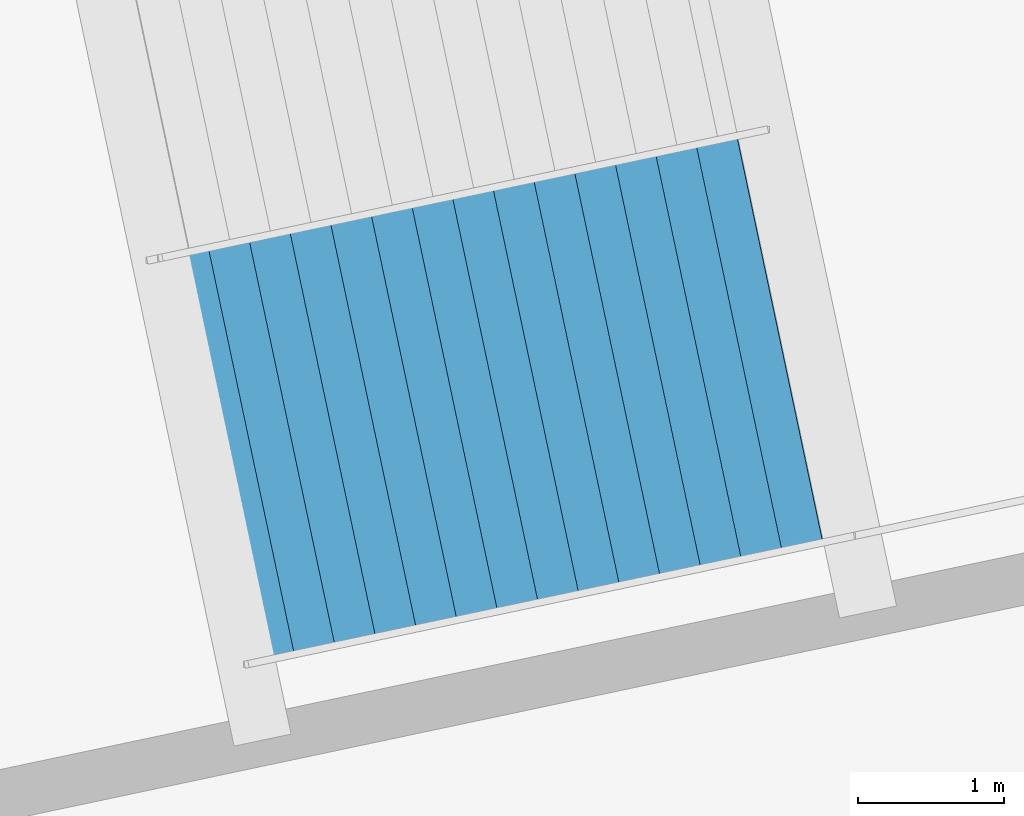
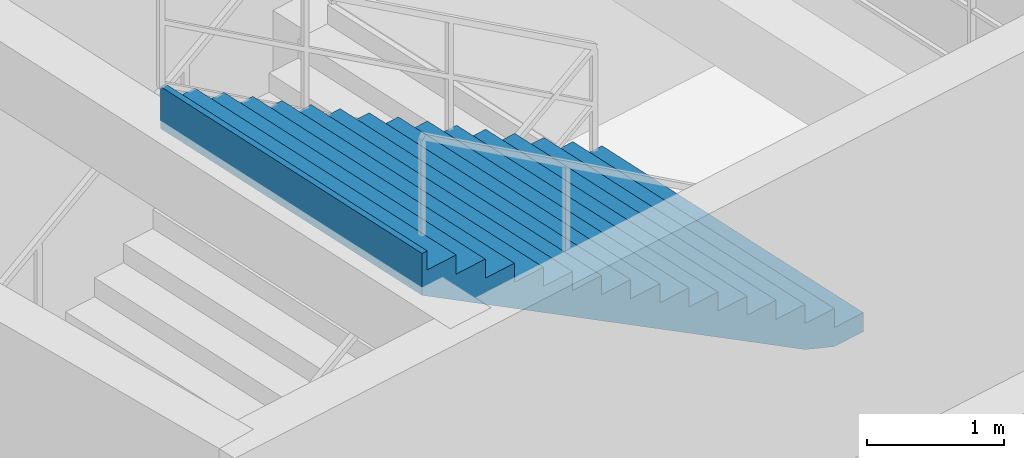
# One storey, part 25 of 49: 1 stair flight, 1 element without a shape of its own.
"""IFC4 building model written with IfcOpenShell, lengths in metres."""

from ifc_helpers import new_model, si_unit, direction, frame, origin, place, context, subcontext, project, spatial, polygons, material, type_object, element, aggregate, save


model = new_model("IFC4")

# Units and contexts
model_context = context("Model", 3, precision=1e-05, world=origin(), true_north=direction((0.0, 1.0)))
body_context = subcontext(model_context, "Body", "Model", "MODEL_VIEW")
ifc_project = project(units=[si_unit("LENGTHUNIT", "METRE"), si_unit("AREAUNIT", "SQUARE_METRE"), si_unit("VOLUMEUNIT", "CUBIC_METRE"), si_unit("PLANEANGLEUNIT", "RADIAN"), si_unit("MASSUNIT", "GRAM", prefix="KILO")], contexts=[model_context])

# Site, building, storey
site_placement = place(None, origin())
site = spatial("IfcSite", under=ifc_project, at=site_placement, CompositionType="ELEMENT")
building_placement = place(site_placement, origin())
building = spatial("IfcBuilding", under=site, at=building_placement, Name="Kazemori Nagisa Stadium", CompositionType="ELEMENT")
storey_placement = place(building_placement, frame((0.0, 0.0, -5.43994140625)))
storey = spatial("IfcBuildingStorey", under=building, at=storey_placement, Name="B1", CompositionType="ELEMENT", Elevation=-5.43994140625)

# Stair, stair flight
ifc_material = material(Name="Concrete C36/45 (Fc36)", Category="concrete")
stair_type = type_object("IfcStairType", Name="Stair_CORE_32", PredefinedType="TWO_STRAIGHT_RUN_STAIR", material=ifc_material)
stair_placement = place(storey_placement, origin())
stair = element("IfcStair", 1, at=stair_placement, inside=storey, type_object=stair_type, Name="Exit stair ST06 B1", PredefinedType="TWO_STRAIGHT_RUN_STAIR")
stair_flight_type = type_object("IfcStairFlightType", Name="Flight_CORE_16", PredefinedType="STRAIGHT", material=ifc_material)
stair_flight_placement = place(storey_placement, frame((150.89306640625, 23.06591796875, 2.719970703125), z_axis=(0.0, 0.0, 1.0), x_axis=(-0.97834814647, -0.206965949612, 0.0)))
stair_flight = element("IfcStairFlight", 2, at=stair_flight_placement, type_object=stair_flight_type, Name="Exit stair ST06 B1 flight 2", NumberOfRisers=16, NumberOfTreads=15, PredefinedType="STRAIGHT", RiserHeight=0.17, TreadLength=0.285, context=body_context, shape_type="Tessellation", body=[
    polygons([(0.0, -1.425048828125, 0.0), (0.0, -1.425048828125, 0.169921875), (0.284912109375, -1.425048828125, 0.169921875), (0.284912109375, -1.425048828125, 0.340087890625), (0.570068359375, -1.425048828125, 0.340087890625), (0.570068359375, -1.425048828125, 0.510009765625), (0.85498046875, -1.425048828125, 0.510009765625), (0.85498046875, -1.425048828125, 0.679931640625), (1.139892578125, -1.425048828125, 0.679931640625), (1.139892578125, -1.425048828125, 0.85009765625), (1.425048828125, -1.425048828125, 0.85009765625), (1.425048828125, -1.425048828125, 1.02001953125), (1.7099609375, -1.425048828125, 1.02001953125), (1.7099609375, -1.425048828125, 1.18994140625), (1.9951171875, -1.425048828125, 1.18994140625), (1.9951171875, -1.425048828125, 1.360107421875), (2.280029296875, -1.425048828125, 1.360107421875), (2.280029296875, -1.425048828125, 1.530029296875), (2.56494140625, -1.425048828125, 1.530029296875), (2.56494140625, -1.425048828125, 1.699951171875), (2.85009765625, -1.425048828125, 1.699951171875), (2.85009765625, -1.425048828125, 1.8701171875), (3.135009765625, -1.425048828125, 1.8701171875), (3.135009765625, -1.425048828125, 2.0400390625), (3.419921875, -1.425048828125, 2.0400390625), (3.419921875, -1.425048828125, 2.2099609375), (3.705078125, -1.425048828125, 2.2099609375), (3.705078125, -1.425048828125, 2.3798828125), (3.989990234375, -1.425048828125, 2.3798828125), (3.989990234375, -1.425048828125, 2.550048828125), (4.27490234375, -1.425048828125, 2.550048828125), (4.27490234375, -1.425048828125, 2.719970703125), (4.324951171875, -1.425048828125, 2.719970703125), (4.324951171875, -1.425048828125, 2.346923828125), (4.27490234375, -1.425048828125, 2.317138671875), (3.989990234375, -1.425048828125, 2.147216796875), (3.705078125, -1.425048828125, 1.977294921875), (3.419921875, -1.425048828125, 1.80712890625), (3.135009765625, -1.425048828125, 1.63720703125), (2.85009765625, -1.425048828125, 1.46728515625), (2.56494140625, -1.425048828125, 1.297119140625), (2.280029296875, -1.425048828125, 1.127197265625), (1.9951171875, -1.425048828125, 0.957275390625), (1.7099609375, -1.425048828125, 0.787109375), (1.425048828125, -1.425048828125, 0.6171875), (1.139892578125, -1.425048828125, 0.447265625), (0.85498046875, -1.425048828125, 0.277099609375), (0.570068359375, -1.425048828125, 0.107177734375), (0.284912109375, -1.425048828125, 0.0), (0.0, -0.08544921875, 0.0), (0.0, -0.08544921875, 0.169921875), (0.284912109375, -0.08544921875, 0.169921875), (0.284912109375, -0.08544921875, 0.340087890625), (0.570068359375, -0.08544921875, 0.340087890625), (0.570068359375, -0.08544921875, 0.510009765625), (0.85498046875, -0.08544921875, 0.510009765625), (0.85498046875, -0.08544921875, 0.679931640625), (1.139892578125, -0.08544921875, 0.679931640625), (1.139892578125, -0.08544921875, 0.85009765625), (1.425048828125, -0.08544921875, 0.85009765625), (1.425048828125, -0.08544921875, 1.02001953125), (1.7099609375, -0.08544921875, 1.02001953125), (1.7099609375, -0.08544921875, 1.18994140625), (1.9951171875, -0.08544921875, 1.18994140625), (1.9951171875, -0.08544921875, 1.360107421875), (2.280029296875, -0.08544921875, 1.360107421875), (2.280029296875, -0.08544921875, 1.530029296875), (2.56494140625, -0.08544921875, 1.530029296875), (2.56494140625, -0.08544921875, 1.699951171875), (2.85009765625, -0.08544921875, 1.699951171875), (2.85009765625, -0.08544921875, 1.8701171875), (3.135009765625, -0.08544921875, 1.8701171875), (3.135009765625, -0.08544921875, 2.0400390625), (3.419921875, -0.08544921875, 2.0400390625), (3.419921875, -0.08544921875, 2.2099609375), (3.705078125, -0.08544921875, 2.2099609375), (3.705078125, -0.08544921875, 2.3798828125), (3.989990234375, -0.08544921875, 2.3798828125), (3.989990234375, -0.08544921875, 2.550048828125), (4.27490234375, -0.08544921875, 2.550048828125), (4.27490234375, -0.08544921875, 2.719970703125), (4.324951171875, -0.08544921875, 2.719970703125), (4.324951171875, -0.08544921875, 2.346923828125), (4.27490234375, -0.08544921875, 2.317138671875), (3.989990234375, -0.08544921875, 2.147216796875), (3.705078125, -0.08544921875, 1.977294921875), (3.419921875, -0.08544921875, 1.80712890625), (3.135009765625, -0.08544921875, 1.63720703125), (2.85009765625, -0.08544921875, 1.46728515625), (2.56494140625, -0.08544921875, 1.297119140625), (2.280029296875, -0.08544921875, 1.127197265625), (1.9951171875, -0.08544921875, 0.957275390625), (1.7099609375, -0.08544921875, 0.787109375), (1.425048828125, -0.08544921875, 0.6171875), (1.139892578125, -0.08544921875, 0.447265625), (0.85498046875, -0.08544921875, 0.277099609375), (0.570068359375, -0.08544921875, 0.107177734375), (0.284912109375, -0.08544921875, 0.0), (0.0, 0.0, 0.0), (0.0, 0.0, 0.169921875), (0.284912109375, 0.0, 0.169921875), (0.284912109375, 0.0, 0.340087890625), (0.570068359375, 0.0, 0.340087890625), (0.570068359375, 0.0, 0.510009765625), (0.85498046875, 0.0, 0.510009765625), (0.85498046875, 0.0, 0.679931640625), (1.139892578125, 0.0, 0.679931640625), (1.139892578125, 0.0, 0.85009765625), (1.425048828125, 0.0, 0.85009765625), (1.425048828125, 0.0, 1.02001953125), (1.7099609375, 0.0, 1.02001953125), (1.7099609375, 0.0, 1.18994140625), (1.9951171875, 0.0, 1.18994140625), (1.9951171875, 0.0, 1.360107421875), (2.280029296875, 0.0, 1.360107421875), (2.280029296875, 0.0, 1.530029296875), (2.56494140625, 0.0, 1.530029296875), (2.56494140625, 0.0, 1.699951171875), (2.85009765625, 0.0, 1.699951171875), (2.85009765625, 0.0, 1.8701171875), (3.135009765625, 0.0, 1.8701171875), (3.135009765625, 0.0, 2.0400390625), (3.419921875, 0.0, 2.0400390625), (3.419921875, 0.0, 2.2099609375), (3.705078125, 0.0, 2.2099609375), (3.705078125, 0.0, 2.3798828125), (3.989990234375, 0.0, 2.3798828125), (3.989990234375, 0.0, 2.550048828125), (4.27490234375, 0.0, 2.550048828125), (4.27490234375, 0.0, 2.719970703125), (4.324951171875, 0.0, 2.719970703125), (4.324951171875, 0.0, 2.346923828125), (4.27490234375, 0.0, 2.317138671875), (3.989990234375, 0.0, 2.147216796875), (3.705078125, 0.0, 1.977294921875), (3.419921875, 0.0, 1.80712890625), (3.135009765625, 0.0, 1.63720703125), (2.85009765625, 0.0, 1.46728515625), (2.56494140625, 0.0, 1.297119140625), (2.280029296875, 0.0, 1.127197265625), (1.9951171875, 0.0, 0.957275390625), (1.7099609375, 0.0, 0.787109375), (1.425048828125, 0.0, 0.6171875), (1.139892578125, 0.0, 0.447265625), (0.85498046875, 0.0, 0.277099609375), (0.570068359375, 0.0, 0.107177734375), (0.284912109375, 0.0, 0.0), (0.0, 0.08544921875, 0.0), (0.0, 0.08544921875, 0.169921875), (0.284912109375, 0.08544921875, 0.169921875), (0.284912109375, 0.08544921875, 0.340087890625), (0.570068359375, 0.08544921875, 0.340087890625), (0.570068359375, 0.08544921875, 0.510009765625), (0.85498046875, 0.08544921875, 0.510009765625), (0.85498046875, 0.08544921875, 0.679931640625), (1.139892578125, 0.08544921875, 0.679931640625), (1.139892578125, 0.08544921875, 0.85009765625), (1.425048828125, 0.08544921875, 0.85009765625), (1.425048828125, 0.08544921875, 1.02001953125), (1.7099609375, 0.08544921875, 1.02001953125), (1.7099609375, 0.08544921875, 1.18994140625), (1.9951171875, 0.08544921875, 1.18994140625), (1.9951171875, 0.08544921875, 1.360107421875), (2.280029296875, 0.08544921875, 1.360107421875), (2.280029296875, 0.08544921875, 1.530029296875), (2.56494140625, 0.08544921875, 1.530029296875), (2.56494140625, 0.08544921875, 1.699951171875), (2.85009765625, 0.08544921875, 1.699951171875), (2.85009765625, 0.08544921875, 1.8701171875), (3.135009765625, 0.08544921875, 1.8701171875), (3.135009765625, 0.08544921875, 2.0400390625), (3.419921875, 0.08544921875, 2.0400390625), (3.419921875, 0.08544921875, 2.2099609375), (3.705078125, 0.08544921875, 2.2099609375), (3.705078125, 0.08544921875, 2.3798828125), (3.989990234375, 0.08544921875, 2.3798828125), (3.989990234375, 0.08544921875, 2.550048828125), (4.27490234375, 0.08544921875, 2.550048828125), (4.27490234375, 0.08544921875, 2.719970703125), (4.324951171875, 0.08544921875, 2.719970703125), (4.324951171875, 0.08544921875, 2.346923828125), (4.27490234375, 0.08544921875, 2.317138671875), (3.989990234375, 0.08544921875, 2.147216796875), (3.705078125, 0.08544921875, 1.977294921875), (3.419921875, 0.08544921875, 1.80712890625), (3.135009765625, 0.08544921875, 1.63720703125), (2.85009765625, 0.08544921875, 1.46728515625), (2.56494140625, 0.08544921875, 1.297119140625), (2.280029296875, 0.08544921875, 1.127197265625), (1.9951171875, 0.08544921875, 0.957275390625), (1.7099609375, 0.08544921875, 0.787109375), (1.425048828125, 0.08544921875, 0.6171875), (1.139892578125, 0.08544921875, 0.447265625), (0.85498046875, 0.08544921875, 0.277099609375), (0.570068359375, 0.08544921875, 0.107177734375), (0.284912109375, 0.08544921875, 0.0), (0.0, 1.425048828125, 0.0), (0.0, 1.425048828125, 0.169921875), (0.284912109375, 1.425048828125, 0.169921875), (0.284912109375, 1.425048828125, 0.340087890625), (0.570068359375, 1.425048828125, 0.340087890625), (0.570068359375, 1.425048828125, 0.510009765625), (0.85498046875, 1.425048828125, 0.510009765625), (0.85498046875, 1.425048828125, 0.679931640625), (1.139892578125, 1.425048828125, 0.679931640625), (1.139892578125, 1.425048828125, 0.85009765625), (1.425048828125, 1.425048828125, 0.85009765625), (1.425048828125, 1.425048828125, 1.02001953125), (1.7099609375, 1.425048828125, 1.02001953125), (1.7099609375, 1.425048828125, 1.18994140625), (1.9951171875, 1.425048828125, 1.18994140625), (1.9951171875, 1.425048828125, 1.360107421875), (2.280029296875, 1.425048828125, 1.360107421875), (2.280029296875, 1.425048828125, 1.530029296875), (2.56494140625, 1.425048828125, 1.530029296875), (2.56494140625, 1.425048828125, 1.699951171875), (2.85009765625, 1.425048828125, 1.699951171875), (2.85009765625, 1.425048828125, 1.8701171875), (3.135009765625, 1.425048828125, 1.8701171875), (3.135009765625, 1.425048828125, 2.0400390625), (3.419921875, 1.425048828125, 2.0400390625), (3.419921875, 1.425048828125, 2.2099609375), (3.705078125, 1.425048828125, 2.2099609375), (3.705078125, 1.425048828125, 2.3798828125), (3.989990234375, 1.425048828125, 2.3798828125), (3.989990234375, 1.425048828125, 2.550048828125), (4.27490234375, 1.425048828125, 2.550048828125), (4.27490234375, 1.425048828125, 2.719970703125), (4.324951171875, 1.425048828125, 2.719970703125), (4.324951171875, 1.425048828125, 2.346923828125), (4.27490234375, 1.425048828125, 2.317138671875), (3.989990234375, 1.425048828125, 2.147216796875), (3.705078125, 1.425048828125, 1.977294921875), (3.419921875, 1.425048828125, 1.80712890625), (3.135009765625, 1.425048828125, 1.63720703125), (2.85009765625, 1.425048828125, 1.46728515625), (2.56494140625, 1.425048828125, 1.297119140625), (2.280029296875, 1.425048828125, 1.127197265625), (1.9951171875, 1.425048828125, 0.957275390625), (1.7099609375, 1.425048828125, 0.787109375), (1.425048828125, 1.425048828125, 0.6171875), (1.139892578125, 1.425048828125, 0.447265625), (0.85498046875, 1.425048828125, 0.277099609375), (0.570068359375, 1.425048828125, 0.107177734375), (0.284912109375, 1.425048828125, 0.0)], [[[1, 2, 51]], [[1, 51, 50]], [[2, 3, 52]], [[2, 52, 51]], [[3, 4, 53]], [[3, 53, 52]], [[4, 5, 54]], [[4, 54, 53]], [[5, 6, 55]], [[5, 55, 54]], [[6, 7, 56]], [[6, 56, 55]], [[7, 8, 57]], [[7, 57, 56]], [[8, 9, 58]], [[8, 58, 57]], [[9, 10, 59]], [[9, 59, 58]], [[10, 11, 60]], [[10, 60, 59]], [[11, 12, 61]], [[11, 61, 60]], [[12, 13, 62]], [[12, 62, 61]], [[13, 14, 63]], [[13, 63, 62]], [[14, 15, 64]], [[14, 64, 63]], [[15, 16, 65]], [[15, 65, 64]], [[16, 17, 66]], [[16, 66, 65]], [[17, 18, 67]], [[17, 67, 66]], [[18, 19, 68]], [[18, 68, 67]], [[19, 20, 69]], [[19, 69, 68]], [[20, 21, 70]], [[20, 70, 69]], [[21, 22, 71]], [[21, 71, 70]], [[22, 23, 72]], [[22, 72, 71]], [[23, 24, 73]], [[23, 73, 72]], [[24, 25, 74]], [[24, 74, 73]], [[25, 26, 75]], [[25, 75, 74]], [[26, 27, 76]], [[26, 76, 75]], [[27, 28, 77]], [[27, 77, 76]], [[28, 29, 78]], [[28, 78, 77]], [[29, 30, 79]], [[29, 79, 78]], [[30, 31, 80]], [[30, 80, 79]], [[31, 32, 81]], [[31, 81, 80]], [[32, 33, 82]], [[32, 82, 81]], [[33, 34, 83]], [[33, 83, 82]], [[34, 35, 84]], [[34, 84, 83]], [[35, 36, 85]], [[35, 85, 84]], [[36, 37, 86]], [[36, 86, 85]], [[37, 38, 87]], [[37, 87, 86]], [[38, 39, 88]], [[38, 88, 87]], [[39, 40, 89]], [[39, 89, 88]], [[40, 41, 90]], [[40, 90, 89]], [[41, 42, 91]], [[41, 91, 90]], [[42, 43, 92]], [[42, 92, 91]], [[43, 44, 93]], [[43, 93, 92]], [[44, 45, 94]], [[44, 94, 93]], [[45, 46, 95]], [[45, 95, 94]], [[46, 47, 96]], [[46, 96, 95]], [[47, 48, 97]], [[47, 97, 96]], [[48, 49, 98]], [[48, 98, 97]], [[49, 1, 50]], [[49, 50, 98]], [[50, 51, 100]], [[50, 100, 99]], [[51, 52, 101]], [[51, 101, 100]], [[52, 53, 102]], [[52, 102, 101]], [[53, 54, 103]], [[53, 103, 102]], [[54, 55, 104]], [[54, 104, 103]], [[55, 56, 105]], [[55, 105, 104]], [[56, 57, 106]], [[56, 106, 105]], [[57, 58, 107]], [[57, 107, 106]], [[58, 59, 108]], [[58, 108, 107]], [[59, 60, 109]], [[59, 109, 108]], [[60, 61, 110]], [[60, 110, 109]], [[61, 62, 111]], [[61, 111, 110]], [[62, 63, 112]], [[62, 112, 111]], [[63, 64, 113]], [[63, 113, 112]], [[64, 65, 114]], [[64, 114, 113]], [[65, 66, 115]], [[65, 115, 114]], [[66, 67, 116]], [[66, 116, 115]], [[67, 68, 117]], [[67, 117, 116]], [[68, 69, 118]], [[68, 118, 117]], [[69, 70, 119]], [[69, 119, 118]], [[70, 71, 120]], [[70, 120, 119]], [[71, 72, 121]], [[71, 121, 120]], [[72, 73, 122]], [[72, 122, 121]], [[73, 74, 123]], [[73, 123, 122]], [[74, 75, 124]], [[74, 124, 123]], [[75, 76, 125]], [[75, 125, 124]], [[76, 77, 126]], [[76, 126, 125]], [[77, 78, 127]], [[77, 127, 126]], [[78, 79, 128]], [[78, 128, 127]], [[79, 80, 129]], [[79, 129, 128]], [[80, 81, 130]], [[80, 130, 129]], [[81, 82, 131]], [[81, 131, 130]], [[82, 83, 132]], [[82, 132, 131]], [[83, 84, 133]], [[83, 133, 132]], [[84, 85, 134]], [[84, 134, 133]], [[85, 86, 135]], [[85, 135, 134]], [[86, 87, 136]], [[86, 136, 135]], [[87, 88, 137]], [[87, 137, 136]], [[88, 89, 138]], [[88, 138, 137]], [[89, 90, 139]], [[89, 139, 138]], [[90, 91, 140]], [[90, 140, 139]], [[91, 92, 141]], [[91, 141, 140]], [[92, 93, 142]], [[92, 142, 141]], [[93, 94, 143]], [[93, 143, 142]], [[94, 95, 144]], [[94, 144, 143]], [[95, 96, 145]], [[95, 145, 144]], [[96, 97, 146]], [[96, 146, 145]], [[97, 98, 147]], [[97, 147, 146]], [[98, 50, 99]], [[98, 99, 147]], [[99, 100, 149]], [[99, 149, 148]], [[100, 101, 150]], [[100, 150, 149]], [[101, 102, 151]], [[101, 151, 150]], [[102, 103, 152]], [[102, 152, 151]], [[103, 104, 153]], [[103, 153, 152]], [[104, 105, 154]], [[104, 154, 153]], [[105, 106, 155]], [[105, 155, 154]], [[106, 107, 156]], [[106, 156, 155]], [[107, 108, 157]], [[107, 157, 156]], [[108, 109, 158]], [[108, 158, 157]], [[109, 110, 159]], [[109, 159, 158]], [[110, 111, 160]], [[110, 160, 159]], [[111, 112, 161]], [[111, 161, 160]], [[112, 113, 162]], [[112, 162, 161]], [[113, 114, 163]], [[113, 163, 162]], [[114, 115, 164]], [[114, 164, 163]], [[115, 116, 165]], [[115, 165, 164]], [[116, 117, 166]], [[116, 166, 165]], [[117, 118, 167]], [[117, 167, 166]], [[118, 119, 168]], [[118, 168, 167]], [[119, 120, 169]], [[119, 169, 168]], [[120, 121, 170]], [[120, 170, 169]], [[121, 122, 171]], [[121, 171, 170]], [[122, 123, 172]], [[122, 172, 171]], [[123, 124, 173]], [[123, 173, 172]], [[124, 125, 174]], [[124, 174, 173]], [[125, 126, 175]], [[125, 175, 174]], [[126, 127, 176]], [[126, 176, 175]], [[127, 128, 177]], [[127, 177, 176]], [[128, 129, 178]], [[128, 178, 177]], [[129, 130, 179]], [[129, 179, 178]], [[130, 131, 180]], [[130, 180, 179]], [[131, 132, 181]], [[131, 181, 180]], [[132, 133, 182]], [[132, 182, 181]], [[133, 134, 183]], [[133, 183, 182]], [[134, 135, 184]], [[134, 184, 183]], [[135, 136, 185]], [[135, 185, 184]], [[136, 137, 186]], [[136, 186, 185]], [[137, 138, 187]], [[137, 187, 186]], [[138, 139, 188]], [[138, 188, 187]], [[139, 140, 189]], [[139, 189, 188]], [[140, 141, 190]], [[140, 190, 189]], [[141, 142, 191]], [[141, 191, 190]], [[142, 143, 192]], [[142, 192, 191]], [[143, 144, 193]], [[143, 193, 192]], [[144, 145, 194]], [[144, 194, 193]], [[145, 146, 195]], [[145, 195, 194]], [[146, 147, 196]], [[146, 196, 195]], [[147, 99, 148]], [[147, 148, 196]], [[148, 149, 198]], [[148, 198, 197]], [[149, 150, 199]], [[149, 199, 198]], [[150, 151, 200]], [[150, 200, 199]], [[151, 152, 201]], [[151, 201, 200]], [[152, 153, 202]], [[152, 202, 201]], [[153, 154, 203]], [[153, 203, 202]], [[154, 155, 204]], [[154, 204, 203]], [[155, 156, 205]], [[155, 205, 204]], [[156, 157, 206]], [[156, 206, 205]], [[157, 158, 207]], [[157, 207, 206]], [[158, 159, 208]], [[158, 208, 207]], [[159, 160, 209]], [[159, 209, 208]], [[160, 161, 210]], [[160, 210, 209]], [[161, 162, 211]], [[161, 211, 210]], [[162, 163, 212]], [[162, 212, 211]], [[163, 164, 213]], [[163, 213, 212]], [[164, 165, 214]], [[164, 214, 213]], [[165, 166, 215]], [[165, 215, 214]], [[166, 167, 216]], [[166, 216, 215]], [[167, 168, 217]], [[167, 217, 216]], [[168, 169, 218]], [[168, 218, 217]], [[169, 170, 219]], [[169, 219, 218]], [[170, 171, 220]], [[170, 220, 219]], [[171, 172, 221]], [[171, 221, 220]], [[172, 173, 222]], [[172, 222, 221]], [[173, 174, 223]], [[173, 223, 222]], [[174, 175, 224]], [[174, 224, 223]], [[175, 176, 225]], [[175, 225, 224]], [[176, 177, 226]], [[176, 226, 225]], [[177, 178, 227]], [[177, 227, 226]], [[178, 179, 228]], [[178, 228, 227]], [[179, 180, 229]], [[179, 229, 228]], [[180, 181, 230]], [[180, 230, 229]], [[181, 182, 231]], [[181, 231, 230]], [[182, 183, 232]], [[182, 232, 231]], [[183, 184, 233]], [[183, 233, 232]], [[184, 185, 234]], [[184, 234, 233]], [[185, 186, 235]], [[185, 235, 234]], [[186, 187, 236]], [[186, 236, 235]], [[187, 188, 237]], [[187, 237, 236]], [[188, 189, 238]], [[188, 238, 237]], [[189, 190, 239]], [[189, 239, 238]], [[190, 191, 240]], [[190, 240, 239]], [[191, 192, 241]], [[191, 241, 240]], [[192, 193, 242]], [[192, 242, 241]], [[193, 194, 243]], [[193, 243, 242]], [[194, 195, 244]], [[194, 244, 243]], [[195, 196, 245]], [[195, 245, 244]], [[196, 148, 197]], [[196, 197, 245]], [[3, 2, 1]], [[197, 198, 199]], [[49, 3, 1]], [[197, 199, 245]], [[48, 3, 49]], [[245, 199, 244]], [[5, 3, 48]], [[244, 199, 201]], [[5, 4, 3]], [[199, 200, 201]], [[47, 5, 48]], [[244, 201, 243]], [[7, 5, 47]], [[243, 201, 203]], [[7, 6, 5]], [[201, 202, 203]], [[46, 7, 47]], [[243, 203, 242]], [[9, 7, 46]], [[242, 203, 205]], [[9, 8, 7]], [[203, 204, 205]], [[45, 9, 46]], [[242, 205, 241]], [[11, 9, 45]], [[241, 205, 207]], [[11, 10, 9]], [[205, 206, 207]], [[44, 11, 45]], [[241, 207, 240]], [[13, 11, 44]], [[240, 207, 209]], [[13, 12, 11]], [[207, 208, 209]], [[43, 13, 44]], [[240, 209, 239]], [[15, 13, 43]], [[239, 209, 211]], [[15, 14, 13]], [[209, 210, 211]], [[42, 15, 43]], [[239, 211, 238]], [[17, 15, 42]], [[238, 211, 213]], [[17, 16, 15]], [[211, 212, 213]], [[41, 17, 42]], [[238, 213, 237]], [[19, 17, 41]], [[237, 213, 215]], [[19, 18, 17]], [[213, 214, 215]], [[40, 19, 41]], [[237, 215, 236]], [[21, 19, 40]], [[236, 215, 217]], [[21, 20, 19]], [[215, 216, 217]], [[39, 21, 40]], [[236, 217, 235]], [[23, 21, 39]], [[235, 217, 219]], [[23, 22, 21]], [[217, 218, 219]], [[38, 23, 39]], [[235, 219, 234]], [[25, 23, 38]], [[234, 219, 221]], [[25, 24, 23]], [[219, 220, 221]], [[37, 25, 38]], [[234, 221, 233]], [[27, 25, 37]], [[233, 221, 223]], [[27, 26, 25]], [[221, 222, 223]], [[36, 27, 37]], [[233, 223, 232]], [[29, 27, 36]], [[232, 223, 225]], [[29, 28, 27]], [[223, 224, 225]], [[35, 29, 36]], [[232, 225, 231]], [[31, 29, 35]], [[231, 225, 227]], [[31, 30, 29]], [[225, 226, 227]], [[34, 31, 35]], [[231, 227, 230]], [[33, 31, 34]], [[230, 227, 229]], [[33, 32, 31]], [[227, 228, 229]]], closed=True),
])
aggregate(stair, [stair_flight])

save(model, "model.ifc")
